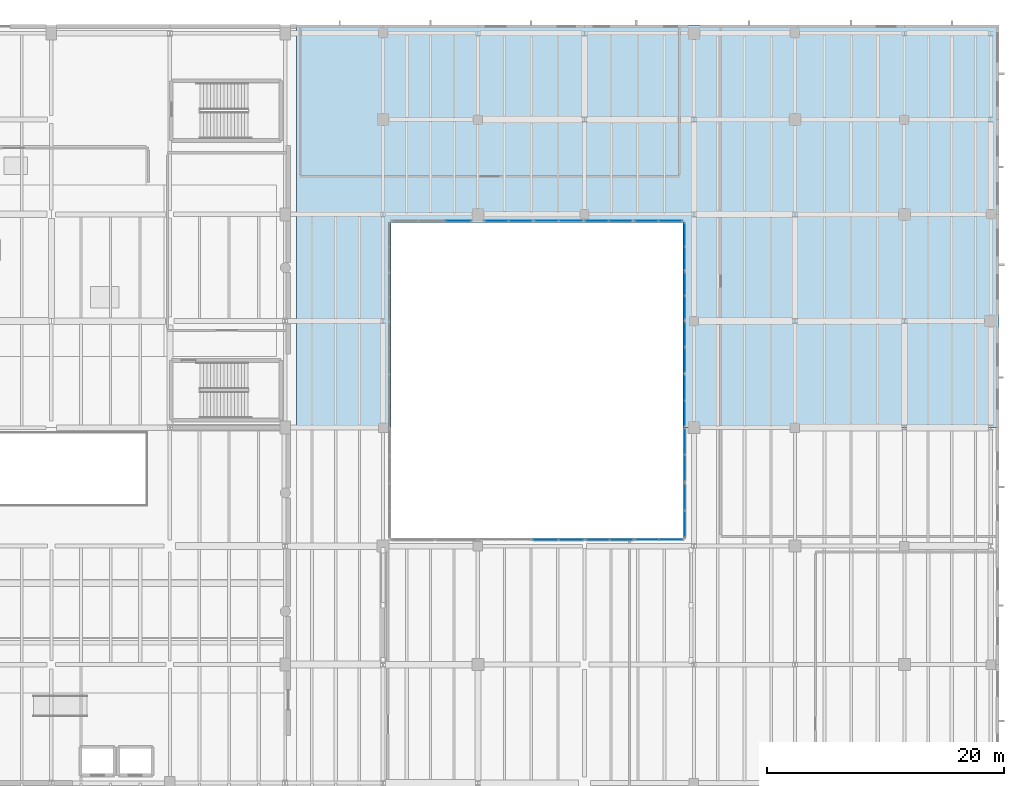
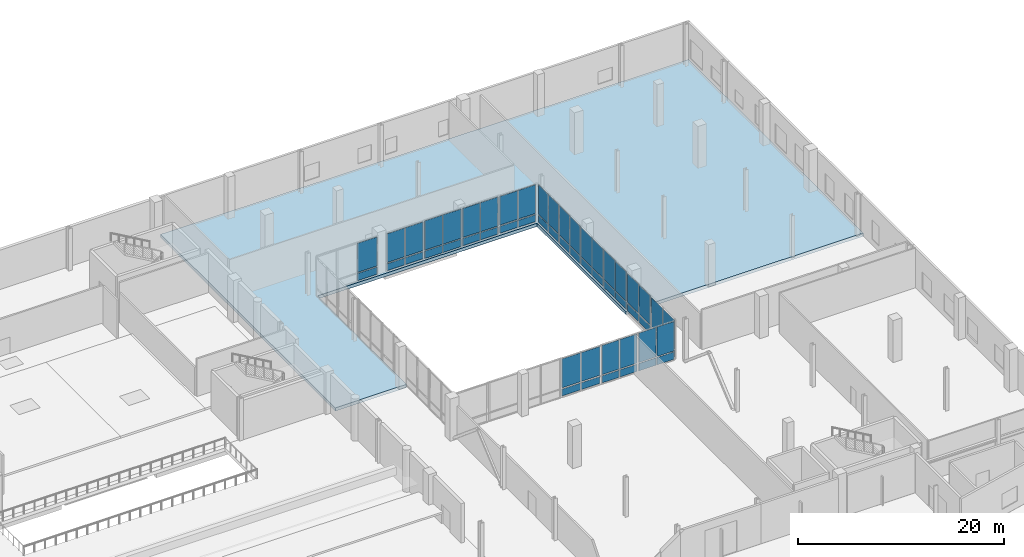
# One storey, part 64 of 88: 54 plates, 1 slab, 14 elements without a shape of their own.
"""IFC4 building model written with IfcOpenShell, lengths in metres."""

from ifc_helpers import new_model, si_unit, direction, frame, origin, origin_2d, place, context, subcontext, project, spatial, polyline, rectangle, outline, extrude, material, layer, layer_set, type_object, element, aggregate, save


model = new_model("IFC4")

# Units and contexts
model_context = context("Model", 3, precision=1e-05, world=origin(), true_north=direction((0.0, 1.0)))
body_context = subcontext(model_context, "Body", "Model", "MODEL_VIEW")
ifc_project = project(units=[si_unit("LENGTHUNIT", "METRE"), si_unit("AREAUNIT", "SQUARE_METRE"), si_unit("VOLUMEUNIT", "CUBIC_METRE"), si_unit("PLANEANGLEUNIT", "RADIAN"), si_unit("MASSUNIT", "GRAM", prefix="KILO")], contexts=[model_context])

# Site, building, storey
site_placement = place(None, origin())
site = spatial("IfcSite", under=ifc_project, at=site_placement, CompositionType="ELEMENT")
building_placement = place(site_placement, origin())
building = spatial("IfcBuilding", under=site, at=building_placement, Name="Trimount Lyric Opera House", CompositionType="ELEMENT")
storey_placement = place(building_placement, origin())
storey = spatial("IfcBuildingStorey", under=building, at=storey_placement, Name="L00", CompositionType="ELEMENT", Elevation=0.0)

# Curtain wall, plates
ifc_material_1 = material(Name="Thermally Broken Aluminium and Low-E Glass", Category="aluminium")
curtain_wall_type = type_object("IfcCurtainWallType", Name="CW-03", PredefinedType="NOTDEFINED", material=ifc_material_1)
curtain_wall_1_placement = place(storey_placement, origin())
curtain_wall_1 = element("IfcCurtainWall", 1, at=curtain_wall_1_placement, inside=storey, type_object=curtain_wall_type, Name="L00 curtain wall 039", PredefinedType="NOTDEFINED")
ifc_material_2 = material(Name="Triple Low-E Acoustic Laminated Glass", Category="glass")
ifc_layer_1 = layer(ifc_material_2, 0.035888671875)
ifc_layer_set_1 = layer_set([ifc_layer_1], Name="CWP-01")
plate_type_1 = type_object("IfcPlateType", Name="CWP-01", PredefinedType="CURTAIN_PANEL", material=ifc_layer_set_1)
plate_1_placement = place(storey_placement, frame((135.7099609375, 74.5400390625, 0.159912109375), z_axis=(0.0, 0.0, 1.0), x_axis=(1.0, 0.0, 0.0)))
plate_1 = element("IfcPlate", 2, at=plate_1_placement, type_object=plate_type_1, Name="CW-03 panel 1.1", PredefinedType="CURTAIN_PANEL", context=body_context, shape_type="SweptSolid", body=[
    extrude(rectangle(XDim=2.10009765625, YDim=0.035888671875, at=origin_2d()), origin(), (0.0, 0.0, 1.0), 0.81005859375),
])
plate_2_placement = place(storey_placement, frame((137.8798828125, 74.5400390625, 0.159912109375), z_axis=(0.0, 0.0, 1.0), x_axis=(1.0, 0.0, 0.0)))
plate_2 = element("IfcPlate", 3, at=plate_2_placement, type_object=plate_type_1, Name="CW-03 panel 2.1", PredefinedType="CURTAIN_PANEL", context=body_context, shape_type="SweptSolid", body=[
    extrude(rectangle(XDim=2.10009765625, YDim=0.035888671875, at=origin_2d()), origin(), (0.0, 0.0, 1.0), 0.81005859375),
])

curtain_wall_2_placement = place(storey_placement, origin())
curtain_wall_2 = element("IfcCurtainWall", 4, at=curtain_wall_2_placement, inside=storey, type_object=curtain_wall_type, Name="L00 curtain wall 040", PredefinedType="NOTDEFINED")
plate_3_placement = place(storey_placement, frame((140.123779296875, 74.5400390625, 0.13525390625), z_axis=(0.0, 0.0, 1.0), x_axis=(1.0, 0.0, 0.0)))
plate_3 = element("IfcPlate", 5, at=plate_3_placement, type_object=plate_type_1, Name="CW-03 panel 1.1", PredefinedType="CURTAIN_PANEL", context=body_context, shape_type="SweptSolid", body=[
    extrude(rectangle(XDim=1.9375, YDim=0.035888671875, at=origin_2d()), origin(), (0.0, 0.0, 1.0), 0.847412109375),
])
plate_4_placement = place(storey_placement, frame((142.126220703125, 74.5400390625, 0.13525390625), z_axis=(0.0, 0.0, 1.0), x_axis=(1.0, 0.0, 0.0)))
plate_4 = element("IfcPlate", 6, at=plate_4_placement, type_object=plate_type_1, Name="CW-03 panel 2.1", PredefinedType="CURTAIN_PANEL", context=body_context, shape_type="SweptSolid", body=[
    extrude(rectangle(XDim=1.9375, YDim=0.035888671875, at=origin_2d()), origin(), (0.0, 0.0, 1.0), 0.847412109375),
])

curtain_wall_3_placement = place(storey_placement, origin())
curtain_wall_3 = element("IfcCurtainWall", 7, at=curtain_wall_3_placement, inside=storey, type_object=curtain_wall_type, Name="L00 curtain wall 041", PredefinedType="NOTDEFINED")
plate_5_placement = place(storey_placement, frame((144.282470703125, 74.5400390625, 0.114990234375), z_axis=(0.0, 0.0, 1.0), x_axis=(1.0, 0.0, 0.0)))
plate_5 = element("IfcPlate", 8, at=plate_5_placement, type_object=plate_type_1, Name="CW-03 panel 1.1", PredefinedType="CURTAIN_PANEL", context=body_context, shape_type="SweptSolid", body=[
    extrude(rectangle(XDim=1.945068359375, YDim=0.035888671875, at=origin_2d()), origin(), (0.0, 0.0, 1.0), 0.87744140625),
])
plate_6_placement = place(storey_placement, frame((146.28759765625, 74.5400390625, 0.114990234375), z_axis=(0.0, 0.0, 1.0), x_axis=(1.0, 0.0, 0.0)))
plate_6 = element("IfcPlate", 9, at=plate_6_placement, type_object=plate_type_1, Name="CW-03 panel 2.1", PredefinedType="CURTAIN_PANEL", context=body_context, shape_type="SweptSolid", body=[
    extrude(rectangle(XDim=1.945068359375, YDim=0.035888671875, at=origin_2d()), origin(), (0.0, 0.0, 1.0), 0.87744140625),
])

curtain_wall_4_placement = place(storey_placement, origin())
curtain_wall_4 = element("IfcCurtainWall", 10, at=curtain_wall_4_placement, inside=storey, type_object=curtain_wall_type, Name="L00 curtain wall 042", PredefinedType="NOTDEFINED")
plate_7_placement = place(storey_placement, frame((147.4599609375, 75.862548828125, 0.159912109375), z_axis=(0.0, 0.0, 1.0), x_axis=(0.0, 1.0, 0.0)))
plate_7 = element("IfcPlate", 11, at=plate_7_placement, type_object=plate_type_1, Name="CW-03 panel 1.1", PredefinedType="CURTAIN_PANEL", context=body_context, shape_type="SweptSolid", body=[
    extrude(rectangle(XDim=2.22509765625, YDim=0.035888671875, at=origin_2d()), origin(), (0.0, 0.0, 1.0), 0.81005859375),
])
plate_8_placement = place(storey_placement, frame((147.4599609375, 78.157470703125, 0.159912109375), z_axis=(0.0, 0.0, 1.0), x_axis=(0.0, 1.0, 0.0)))
plate_8 = element("IfcPlate", 12, at=plate_8_placement, type_object=plate_type_1, Name="CW-03 panel 2.1", PredefinedType="CURTAIN_PANEL", context=body_context, shape_type="SweptSolid", body=[
    extrude(rectangle(XDim=2.22509765625, YDim=0.035888671875, at=origin_2d()), origin(), (0.0, 0.0, 1.0), 0.81005859375),
])

curtain_wall_5_placement = place(storey_placement, origin())
curtain_wall_5 = element("IfcCurtainWall", 13, at=curtain_wall_5_placement, inside=storey, type_object=curtain_wall_type, Name="L00 curtain wall 043", PredefinedType="NOTDEFINED")
plate_9_placement = place(storey_placement, frame((147.4599609375, 80.5888671875, 0.13525390625), z_axis=(0.0, 0.0, 1.0), x_axis=(0.0, 1.0, 0.0)))
plate_9 = element("IfcPlate", 14, at=plate_9_placement, type_object=plate_type_1, Name="CW-03 panel 1.1", PredefinedType="CURTAIN_PANEL", context=body_context, shape_type="SweptSolid", body=[
    extrude(rectangle(XDim=2.1875, YDim=0.035888671875, at=origin_2d()), origin(), (0.0, 0.0, 1.0), 0.847412109375),
])
plate_10_placement = place(storey_placement, frame((147.4599609375, 82.84130859375, 0.13525390625), z_axis=(0.0, 0.0, 1.0), x_axis=(0.0, 1.0, 0.0)))
plate_10 = element("IfcPlate", 15, at=plate_10_placement, type_object=plate_type_1, Name="CW-03 panel 2.1", PredefinedType="CURTAIN_PANEL", context=body_context, shape_type="SweptSolid", body=[
    extrude(rectangle(XDim=2.1875, YDim=0.035888671875, at=origin_2d()), origin(), (0.0, 0.0, 1.0), 0.847412109375),
])

curtain_wall_6_placement = place(storey_placement, origin())
curtain_wall_6 = element("IfcCurtainWall", 16, at=curtain_wall_6_placement, inside=storey, type_object=curtain_wall_type, Name="L00 curtain wall 044", PredefinedType="NOTDEFINED")
plate_11_placement = place(storey_placement, frame((147.4599609375, 85.20751953125, 0.114990234375), z_axis=(0.0, 0.0, 1.0), x_axis=(0.0, 1.0, 0.0)))
plate_11 = element("IfcPlate", 17, at=plate_11_placement, type_object=plate_type_1, Name="CW-03 panel 1.1", PredefinedType="CURTAIN_PANEL", context=body_context, shape_type="SweptSolid", body=[
    extrude(rectangle(XDim=2.114990234375, YDim=0.035888671875, at=origin_2d()), origin(), (0.0, 0.0, 1.0), 0.87744140625),
])
plate_12_placement = place(storey_placement, frame((147.4599609375, 87.382568359375, 0.114990234375), z_axis=(0.0, 0.0, 1.0), x_axis=(0.0, 1.0, 0.0)))
plate_12 = element("IfcPlate", 18, at=plate_12_placement, type_object=plate_type_1, Name="CW-03 panel 2.1", PredefinedType="CURTAIN_PANEL", context=body_context, shape_type="SweptSolid", body=[
    extrude(rectangle(XDim=2.114990234375, YDim=0.035888671875, at=origin_2d()), origin(), (0.0, 0.0, 1.0), 0.87744140625),
])

curtain_wall_7_placement = place(storey_placement, origin())
curtain_wall_7 = element("IfcCurtainWall", 19, at=curtain_wall_7_placement, inside=storey, type_object=curtain_wall_type, Name="L00 curtain wall 045", PredefinedType="NOTDEFINED")
plate_13_placement = place(storey_placement, frame((147.4599609375, 89.7099609375, 0.159912109375), z_axis=(0.0, 0.0, 1.0), x_axis=(0.0, 1.0, 0.0)))
plate_13 = element("IfcPlate", 20, at=plate_13_placement, type_object=plate_type_1, Name="CW-03 panel 1.1", PredefinedType="CURTAIN_PANEL", context=body_context, shape_type="SweptSolid", body=[
    extrude(rectangle(XDim=2.10009765625, YDim=0.035888671875, at=origin_2d()), origin(), (0.0, 0.0, 1.0), 0.81005859375),
])
plate_14_placement = place(storey_placement, frame((147.4599609375, 91.8798828125, 0.159912109375), z_axis=(0.0, 0.0, 1.0), x_axis=(0.0, 1.0, 0.0)))
plate_14 = element("IfcPlate", 21, at=plate_14_placement, type_object=plate_type_1, Name="CW-03 panel 2.1", PredefinedType="CURTAIN_PANEL", context=body_context, shape_type="SweptSolid", body=[
    extrude(rectangle(XDim=2.10009765625, YDim=0.035888671875, at=origin_2d()), origin(), (0.0, 0.0, 1.0), 0.81005859375),
])

curtain_wall_8_placement = place(storey_placement, origin())
curtain_wall_8 = element("IfcCurtainWall", 22, at=curtain_wall_8_placement, inside=storey, type_object=curtain_wall_type, Name="L00 curtain wall 046", PredefinedType="NOTDEFINED")
plate_15_placement = place(storey_placement, frame((147.4599609375, 94.123779296875, 0.13525390625), z_axis=(0.0, 0.0, 1.0), x_axis=(0.0, 1.0, 0.0)))
plate_15 = element("IfcPlate", 23, at=plate_15_placement, type_object=plate_type_1, Name="CW-03 panel 1.1", PredefinedType="CURTAIN_PANEL", context=body_context, shape_type="SweptSolid", body=[
    extrude(rectangle(XDim=1.9375, YDim=0.035888671875, at=origin_2d()), origin(), (0.0, 0.0, 1.0), 0.847412109375),
])
plate_16_placement = place(storey_placement, frame((147.4599609375, 96.126220703125, 0.13525390625), z_axis=(0.0, 0.0, 1.0), x_axis=(0.0, 1.0, 0.0)))
plate_16 = element("IfcPlate", 24, at=plate_16_placement, type_object=plate_type_1, Name="CW-03 panel 2.1", PredefinedType="CURTAIN_PANEL", context=body_context, shape_type="SweptSolid", body=[
    extrude(rectangle(XDim=1.9375, YDim=0.035888671875, at=origin_2d()), origin(), (0.0, 0.0, 1.0), 0.847412109375),
])

curtain_wall_9_placement = place(storey_placement, origin())
curtain_wall_9 = element("IfcCurtainWall", 25, at=curtain_wall_9_placement, inside=storey, type_object=curtain_wall_type, Name="L00 curtain wall 047", PredefinedType="NOTDEFINED")
plate_17_placement = place(storey_placement, frame((147.4599609375, 98.282470703125, 0.114990234375), z_axis=(0.0, 0.0, 1.0), x_axis=(0.0, 1.0, 0.0)))
plate_17 = element("IfcPlate", 26, at=plate_17_placement, type_object=plate_type_1, Name="CW-03 panel 1.1", PredefinedType="CURTAIN_PANEL", context=body_context, shape_type="SweptSolid", body=[
    extrude(rectangle(XDim=1.945068359375, YDim=0.035888671875, at=origin_2d()), origin(), (0.0, 0.0, 1.0), 0.87744140625),
])
plate_18_placement = place(storey_placement, frame((147.4599609375, 100.28759765625, 0.114990234375), z_axis=(0.0, 0.0, 1.0), x_axis=(0.0, 1.0, 0.0)))
plate_18 = element("IfcPlate", 27, at=plate_18_placement, type_object=plate_type_1, Name="CW-03 panel 2.1", PredefinedType="CURTAIN_PANEL", context=body_context, shape_type="SweptSolid", body=[
    extrude(rectangle(XDim=1.945068359375, YDim=0.035888671875, at=origin_2d()), origin(), (0.0, 0.0, 1.0), 0.87744140625),
])

curtain_wall_10_placement = place(storey_placement, origin())
curtain_wall_10 = element("IfcCurtainWall", 28, at=curtain_wall_10_placement, inside=storey, type_object=curtain_wall_type, Name="L00 curtain wall 048", PredefinedType="NOTDEFINED")
plate_19_placement = place(storey_placement, frame((146.262451171875, 101.4599609375, 0.159912109375), z_axis=(0.0, 0.0, 1.0), x_axis=(-1.0, 0.0, 0.0)))
plate_19 = element("IfcPlate", 29, at=plate_19_placement, type_object=plate_type_1, Name="CW-03 panel 1.1", PredefinedType="CURTAIN_PANEL", context=body_context, shape_type="SweptSolid", body=[
    extrude(rectangle(XDim=1.97509765625, YDim=0.035888671875, at=origin_2d()), origin(), (0.0, 0.0, 1.0), 0.81005859375),
])
plate_20_placement = place(storey_placement, frame((144.217529296875, 101.4599609375, 0.159912109375), z_axis=(0.0, 0.0, 1.0), x_axis=(-1.0, 0.0, 0.0)))
plate_20 = element("IfcPlate", 30, at=plate_20_placement, type_object=plate_type_1, Name="CW-03 panel 2.1", PredefinedType="CURTAIN_PANEL", context=body_context, shape_type="SweptSolid", body=[
    extrude(rectangle(XDim=1.97509765625, YDim=0.035888671875, at=origin_2d()), origin(), (0.0, 0.0, 1.0), 0.81005859375),
])

curtain_wall_11_placement = place(storey_placement, origin())
curtain_wall_11 = element("IfcCurtainWall", 31, at=curtain_wall_11_placement, inside=storey, type_object=curtain_wall_type, Name="L00 curtain wall 049", PredefinedType="NOTDEFINED")
plate_21_placement = place(storey_placement, frame((142.0361328125, 101.4599609375, 0.13525390625), z_axis=(0.0, 0.0, 1.0), x_axis=(-1.0, 0.0, 0.0)))
plate_21 = element("IfcPlate", 32, at=plate_21_placement, type_object=plate_type_1, Name="CW-03 panel 1.1", PredefinedType="CURTAIN_PANEL", context=body_context, shape_type="SweptSolid", body=[
    extrude(rectangle(XDim=1.9375, YDim=0.035888671875, at=origin_2d()), origin(), (0.0, 0.0, 1.0), 0.847412109375),
])
plate_22_placement = place(storey_placement, frame((140.03369140625, 101.4599609375, 0.13525390625), z_axis=(0.0, 0.0, 1.0), x_axis=(-1.0, 0.0, 0.0)))
plate_22 = element("IfcPlate", 33, at=plate_22_placement, type_object=plate_type_1, Name="CW-03 panel 2.1", PredefinedType="CURTAIN_PANEL", context=body_context, shape_type="SweptSolid", body=[
    extrude(rectangle(XDim=1.9375, YDim=0.035888671875, at=origin_2d()), origin(), (0.0, 0.0, 1.0), 0.847412109375),
])

curtain_wall_12_placement = place(storey_placement, origin())
curtain_wall_12 = element("IfcCurtainWall", 34, at=curtain_wall_12_placement, inside=storey, type_object=curtain_wall_type, Name="L00 curtain wall 050", PredefinedType="NOTDEFINED")
plate_23_placement = place(storey_placement, frame((137.85498046875, 101.4599609375, 0.114990234375), z_axis=(0.0, 0.0, 1.0), x_axis=(-1.0, 0.0, 0.0)))
plate_23 = element("IfcPlate", 35, at=plate_23_placement, type_object=plate_type_1, Name="CW-03 panel 1.1", PredefinedType="CURTAIN_PANEL", context=body_context, shape_type="SweptSolid", body=[
    extrude(rectangle(XDim=1.989990234375, YDim=0.035888671875, at=origin_2d()), origin(), (0.0, 0.0, 1.0), 0.87744140625),
])
plate_24_placement = place(storey_placement, frame((135.804931640625, 101.4599609375, 0.114990234375), z_axis=(0.0, 0.0, 1.0), x_axis=(-1.0, 0.0, 0.0)))
plate_24 = element("IfcPlate", 36, at=plate_24_placement, type_object=plate_type_1, Name="CW-03 panel 2.1", PredefinedType="CURTAIN_PANEL", context=body_context, shape_type="SweptSolid", body=[
    extrude(rectangle(XDim=1.989990234375, YDim=0.035888671875, at=origin_2d()), origin(), (0.0, 0.0, 1.0), 0.87744140625),
])

curtain_wall_13_placement = place(storey_placement, origin())
curtain_wall_13 = element("IfcCurtainWall", 37, at=curtain_wall_13_placement, inside=storey, type_object=curtain_wall_type, Name="L00 curtain wall 051", PredefinedType="NOTDEFINED")
plate_25_placement = place(storey_placement, frame((133.6025390625, 101.4599609375, 0.159912109375), z_axis=(0.0, 0.0, 1.0), x_axis=(-1.0, 0.0, 0.0)))
plate_25 = element("IfcPlate", 38, at=plate_25_placement, type_object=plate_type_1, Name="CW-03 panel 1.1", PredefinedType="CURTAIN_PANEL", context=body_context, shape_type="SweptSolid", body=[
    extrude(rectangle(XDim=1.97509765625, YDim=0.035888671875, at=origin_2d()), origin(), (0.0, 0.0, 1.0), 0.81005859375),
])
plate_26_placement = place(storey_placement, frame((131.5576171875, 101.4599609375, 0.159912109375), z_axis=(0.0, 0.0, 1.0), x_axis=(-1.0, 0.0, 0.0)))
plate_26 = element("IfcPlate", 39, at=plate_26_placement, type_object=plate_type_1, Name="CW-03 panel 2.1", PredefinedType="CURTAIN_PANEL", context=body_context, shape_type="SweptSolid", body=[
    extrude(rectangle(XDim=1.97509765625, YDim=0.035888671875, at=origin_2d()), origin(), (0.0, 0.0, 1.0), 0.81005859375),
])

# Curtain wall, plate
curtain_wall_14_placement = place(storey_placement, origin())
curtain_wall_14 = element("IfcCurtainWall", 40, at=curtain_wall_14_placement, inside=storey, type_object=curtain_wall_type, Name="L00 curtain wall 052", PredefinedType="NOTDEFINED")
plate_27_placement = place(storey_placement, frame((128.34716796875, 101.4599609375, 0.13525390625), z_axis=(0.0, 0.0, 1.0), x_axis=(-1.0, 0.0, 0.0)))
plate_27 = element("IfcPlate", 41, at=plate_27_placement, type_object=plate_type_1, Name="CW-03 panel 1.1", PredefinedType="CURTAIN_PANEL", context=body_context, shape_type="SweptSolid", body=[
    extrude(rectangle(XDim=2.17578125, YDim=0.035888671875, at=origin_2d()), origin(), (0.0, 0.0, 1.0), 0.847412109375),
])

# Plate
ifc_material_3 = material(Name="Insulated Aluminium Shadow-Box Spandrel Panel", Category="aluminium")
ifc_layer_2 = layer(ifc_material_3, 0.0419921875)
ifc_layer_set_2 = layer_set([ifc_layer_2], Name="CWP-04")
plate_type_2 = type_object("IfcPlateType", Name="CWP-04", PredefinedType="CURTAIN_PANEL", material=ifc_layer_set_2)
plate_28_placement = place(storey_placement, frame((135.7099609375, 74.5400390625, 1.1298828125), z_axis=(0.0, 0.0, 1.0), x_axis=(1.0, 0.0, 0.0)))
plate_28 = element("IfcPlate", 42, at=plate_28_placement, type_object=plate_type_2, Name="CW-03 panel 1.2", PredefinedType="CURTAIN_PANEL", context=body_context, shape_type="SweptSolid", body=[
    extrude(rectangle(XDim=2.10009765625, YDim=0.035888671875, at=origin_2d()), origin(), (0.0, 0.0, 1.0), 3.429931640625),
])

plate_29_placement = place(storey_placement, frame((137.8798828125, 74.5400390625, 1.1298828125), z_axis=(0.0, 0.0, 1.0), x_axis=(1.0, 0.0, 0.0)))
plate_29 = element("IfcPlate", 43, at=plate_29_placement, type_object=plate_type_2, Name="CW-03 panel 2.2", PredefinedType="CURTAIN_PANEL", context=body_context, shape_type="SweptSolid", body=[
    extrude(rectangle(XDim=2.10009765625, YDim=0.035888671875, at=origin_2d()), origin(), (0.0, 0.0, 1.0), 3.429931640625),
])

aggregate(curtain_wall_1, [plate_1, plate_28, plate_2, plate_29])

plate_30_placement = place(storey_placement, frame((140.123779296875, 74.5400390625, 1.11767578125), z_axis=(0.0, 0.0, 1.0), x_axis=(1.0, 0.0, 0.0)))
plate_30 = element("IfcPlate", 44, at=plate_30_placement, type_object=plate_type_2, Name="CW-03 panel 1.2", PredefinedType="CURTAIN_PANEL", context=body_context, shape_type="SweptSolid", body=[
    extrude(rectangle(XDim=1.9375, YDim=0.035888671875, at=origin_2d()), origin(), (0.0, 0.0, 1.0), 3.467529296875),
])

plate_31_placement = place(storey_placement, frame((142.126220703125, 74.5400390625, 1.11767578125), z_axis=(0.0, 0.0, 1.0), x_axis=(1.0, 0.0, 0.0)))
plate_31 = element("IfcPlate", 45, at=plate_31_placement, type_object=plate_type_2, Name="CW-03 panel 2.2", PredefinedType="CURTAIN_PANEL", context=body_context, shape_type="SweptSolid", body=[
    extrude(rectangle(XDim=1.9375, YDim=0.035888671875, at=origin_2d()), origin(), (0.0, 0.0, 1.0), 3.467529296875),
])

aggregate(curtain_wall_2, [plate_3, plate_30, plate_4, plate_31])

plate_32_placement = place(storey_placement, frame((144.282470703125, 74.5400390625, 1.107421875), z_axis=(0.0, 0.0, 1.0), x_axis=(1.0, 0.0, 0.0)))
plate_32 = element("IfcPlate", 46, at=plate_32_placement, type_object=plate_type_2, Name="CW-03 panel 1.2", PredefinedType="CURTAIN_PANEL", context=body_context, shape_type="SweptSolid", body=[
    extrude(rectangle(XDim=1.945068359375, YDim=0.035888671875, at=origin_2d()), origin(), (0.0, 0.0, 1.0), 3.49755859375),
])

plate_33_placement = place(storey_placement, frame((146.28759765625, 74.5400390625, 1.107421875), z_axis=(0.0, 0.0, 1.0), x_axis=(1.0, 0.0, 0.0)))
plate_33 = element("IfcPlate", 47, at=plate_33_placement, type_object=plate_type_2, Name="CW-03 panel 2.2", PredefinedType="CURTAIN_PANEL", context=body_context, shape_type="SweptSolid", body=[
    extrude(rectangle(XDim=1.945068359375, YDim=0.035888671875, at=origin_2d()), origin(), (0.0, 0.0, 1.0), 3.49755859375),
])

aggregate(curtain_wall_3, [plate_5, plate_32, plate_6, plate_33])

plate_34_placement = place(storey_placement, frame((147.4599609375, 75.862548828125, 1.130126953125), z_axis=(0.0, 0.0, 1.0), x_axis=(0.0, 1.0, 0.0)))
plate_34 = element("IfcPlate", 48, at=plate_34_placement, type_object=plate_type_2, Name="CW-03 panel 1.2", PredefinedType="CURTAIN_PANEL", context=body_context, shape_type="SweptSolid", body=[
    extrude(rectangle(XDim=2.22509765625, YDim=0.035888671875, at=origin_2d()), origin(), (0.0, 0.0, 1.0), 3.39990234375),
])

plate_35_placement = place(storey_placement, frame((147.4599609375, 78.157470703125, 1.130126953125), z_axis=(0.0, 0.0, 1.0), x_axis=(0.0, 1.0, 0.0)))
plate_35 = element("IfcPlate", 49, at=plate_35_placement, type_object=plate_type_2, Name="CW-03 panel 2.2", PredefinedType="CURTAIN_PANEL", context=body_context, shape_type="SweptSolid", body=[
    extrude(rectangle(XDim=2.22509765625, YDim=0.035888671875, at=origin_2d()), origin(), (0.0, 0.0, 1.0), 3.39990234375),
])

aggregate(curtain_wall_4, [plate_7, plate_34, plate_8, plate_35])

plate_36_placement = place(storey_placement, frame((147.4599609375, 80.5888671875, 1.117431640625), z_axis=(0.0, 0.0, 1.0), x_axis=(0.0, 1.0, 0.0)))
plate_36 = element("IfcPlate", 50, at=plate_36_placement, type_object=plate_type_2, Name="CW-03 panel 1.2", PredefinedType="CURTAIN_PANEL", context=body_context, shape_type="SweptSolid", body=[
    extrude(rectangle(XDim=2.1875, YDim=0.035888671875, at=origin_2d()), origin(), (0.0, 0.0, 1.0), 3.4375),
])

plate_37_placement = place(storey_placement, frame((147.4599609375, 82.84130859375, 1.117431640625), z_axis=(0.0, 0.0, 1.0), x_axis=(0.0, 1.0, 0.0)))
plate_37 = element("IfcPlate", 51, at=plate_37_placement, type_object=plate_type_2, Name="CW-03 panel 2.2", PredefinedType="CURTAIN_PANEL", context=body_context, shape_type="SweptSolid", body=[
    extrude(rectangle(XDim=2.1875, YDim=0.035888671875, at=origin_2d()), origin(), (0.0, 0.0, 1.0), 3.4375),
])

aggregate(curtain_wall_5, [plate_9, plate_36, plate_10, plate_37])

plate_38_placement = place(storey_placement, frame((147.4599609375, 85.20751953125, 1.107421875), z_axis=(0.0, 0.0, 1.0), x_axis=(0.0, 1.0, 0.0)))
plate_38 = element("IfcPlate", 52, at=plate_38_placement, type_object=plate_type_2, Name="CW-03 panel 1.2", PredefinedType="CURTAIN_PANEL", context=body_context, shape_type="SweptSolid", body=[
    extrude(rectangle(XDim=2.114990234375, YDim=0.035888671875, at=origin_2d()), origin(), (0.0, 0.0, 1.0), 3.467529296875),
])

plate_39_placement = place(storey_placement, frame((147.4599609375, 87.382568359375, 1.107421875), z_axis=(0.0, 0.0, 1.0), x_axis=(0.0, 1.0, 0.0)))
plate_39 = element("IfcPlate", 53, at=plate_39_placement, type_object=plate_type_2, Name="CW-03 panel 2.2", PredefinedType="CURTAIN_PANEL", context=body_context, shape_type="SweptSolid", body=[
    extrude(rectangle(XDim=2.114990234375, YDim=0.035888671875, at=origin_2d()), origin(), (0.0, 0.0, 1.0), 3.467529296875),
])

aggregate(curtain_wall_6, [plate_11, plate_38, plate_12, plate_39])

plate_40_placement = place(storey_placement, frame((147.4599609375, 89.7099609375, 1.130126953125), z_axis=(0.0, 0.0, 1.0), x_axis=(0.0, 1.0, 0.0)))
plate_40 = element("IfcPlate", 54, at=plate_40_placement, type_object=plate_type_2, Name="CW-03 panel 1.2", PredefinedType="CURTAIN_PANEL", context=body_context, shape_type="SweptSolid", body=[
    extrude(rectangle(XDim=2.10009765625, YDim=0.035888671875, at=origin_2d()), origin(), (0.0, 0.0, 1.0), 3.39990234375),
])

plate_41_placement = place(storey_placement, frame((147.4599609375, 91.8798828125, 1.130126953125), z_axis=(0.0, 0.0, 1.0), x_axis=(0.0, 1.0, 0.0)))
plate_41 = element("IfcPlate", 55, at=plate_41_placement, type_object=plate_type_2, Name="CW-03 panel 2.2", PredefinedType="CURTAIN_PANEL", context=body_context, shape_type="SweptSolid", body=[
    extrude(rectangle(XDim=2.10009765625, YDim=0.035888671875, at=origin_2d()), origin(), (0.0, 0.0, 1.0), 3.39990234375),
])

aggregate(curtain_wall_7, [plate_13, plate_40, plate_14, plate_41])

plate_42_placement = place(storey_placement, frame((147.4599609375, 94.123779296875, 1.117431640625), z_axis=(0.0, 0.0, 1.0), x_axis=(0.0, 1.0, 0.0)))
plate_42 = element("IfcPlate", 56, at=plate_42_placement, type_object=plate_type_2, Name="CW-03 panel 1.2", PredefinedType="CURTAIN_PANEL", context=body_context, shape_type="SweptSolid", body=[
    extrude(rectangle(XDim=1.9375, YDim=0.035888671875, at=origin_2d()), origin(), (0.0, 0.0, 1.0), 3.4375),
])

plate_43_placement = place(storey_placement, frame((147.4599609375, 96.126220703125, 1.117431640625), z_axis=(0.0, 0.0, 1.0), x_axis=(0.0, 1.0, 0.0)))
plate_43 = element("IfcPlate", 57, at=plate_43_placement, type_object=plate_type_2, Name="CW-03 panel 2.2", PredefinedType="CURTAIN_PANEL", context=body_context, shape_type="SweptSolid", body=[
    extrude(rectangle(XDim=1.9375, YDim=0.035888671875, at=origin_2d()), origin(), (0.0, 0.0, 1.0), 3.4375),
])

aggregate(curtain_wall_8, [plate_15, plate_42, plate_16, plate_43])

plate_44_placement = place(storey_placement, frame((147.4599609375, 98.282470703125, 1.107421875), z_axis=(0.0, 0.0, 1.0), x_axis=(0.0, 1.0, 0.0)))
plate_44 = element("IfcPlate", 58, at=plate_44_placement, type_object=plate_type_2, Name="CW-03 panel 1.2", PredefinedType="CURTAIN_PANEL", context=body_context, shape_type="SweptSolid", body=[
    extrude(rectangle(XDim=1.945068359375, YDim=0.035888671875, at=origin_2d()), origin(), (0.0, 0.0, 1.0), 3.467529296875),
])

plate_45_placement = place(storey_placement, frame((147.4599609375, 100.28759765625, 1.107421875), z_axis=(0.0, 0.0, 1.0), x_axis=(0.0, 1.0, 0.0)))
plate_45 = element("IfcPlate", 59, at=plate_45_placement, type_object=plate_type_2, Name="CW-03 panel 2.2", PredefinedType="CURTAIN_PANEL", context=body_context, shape_type="SweptSolid", body=[
    extrude(rectangle(XDim=1.945068359375, YDim=0.035888671875, at=origin_2d()), origin(), (0.0, 0.0, 1.0), 3.467529296875),
])

aggregate(curtain_wall_9, [plate_17, plate_44, plate_18, plate_45])

plate_46_placement = place(storey_placement, frame((146.262451171875, 101.4599609375, 1.130126953125), z_axis=(0.0, 0.0, 1.0), x_axis=(-1.0, 0.0, 0.0)))
plate_46 = element("IfcPlate", 60, at=plate_46_placement, type_object=plate_type_2, Name="CW-03 panel 1.2", PredefinedType="CURTAIN_PANEL", context=body_context, shape_type="SweptSolid", body=[
    extrude(rectangle(XDim=1.97509765625, YDim=0.035888671875, at=origin_2d()), origin(), (0.0, 0.0, 1.0), 3.39990234375),
])

plate_47_placement = place(storey_placement, frame((144.217529296875, 101.4599609375, 1.130126953125), z_axis=(0.0, 0.0, 1.0), x_axis=(-1.0, 0.0, 0.0)))
plate_47 = element("IfcPlate", 61, at=plate_47_placement, type_object=plate_type_2, Name="CW-03 panel 2.2", PredefinedType="CURTAIN_PANEL", context=body_context, shape_type="SweptSolid", body=[
    extrude(rectangle(XDim=1.97509765625, YDim=0.035888671875, at=origin_2d()), origin(), (0.0, 0.0, 1.0), 3.39990234375),
])

aggregate(curtain_wall_10, [plate_19, plate_46, plate_20, plate_47])

plate_48_placement = place(storey_placement, frame((142.0361328125, 101.4599609375, 1.117431640625), z_axis=(0.0, 0.0, 1.0), x_axis=(-1.0, 0.0, 0.0)))
plate_48 = element("IfcPlate", 62, at=plate_48_placement, type_object=plate_type_2, Name="CW-03 panel 1.2", PredefinedType="CURTAIN_PANEL", context=body_context, shape_type="SweptSolid", body=[
    extrude(rectangle(XDim=1.9375, YDim=0.035888671875, at=origin_2d()), origin(), (0.0, 0.0, 1.0), 3.4375),
])

plate_49_placement = place(storey_placement, frame((140.03369140625, 101.4599609375, 1.117431640625), z_axis=(0.0, 0.0, 1.0), x_axis=(-1.0, 0.0, 0.0)))
plate_49 = element("IfcPlate", 63, at=plate_49_placement, type_object=plate_type_2, Name="CW-03 panel 2.2", PredefinedType="CURTAIN_PANEL", context=body_context, shape_type="SweptSolid", body=[
    extrude(rectangle(XDim=1.9375, YDim=0.035888671875, at=origin_2d()), origin(), (0.0, 0.0, 1.0), 3.4375),
])

aggregate(curtain_wall_11, [plate_21, plate_48, plate_22, plate_49])

plate_50_placement = place(storey_placement, frame((137.85498046875, 101.4599609375, 1.107421875), z_axis=(0.0, 0.0, 1.0), x_axis=(-1.0, 0.0, 0.0)))
plate_50 = element("IfcPlate", 64, at=plate_50_placement, type_object=plate_type_2, Name="CW-03 panel 1.2", PredefinedType="CURTAIN_PANEL", context=body_context, shape_type="SweptSolid", body=[
    extrude(rectangle(XDim=1.989990234375, YDim=0.035888671875, at=origin_2d()), origin(), (0.0, 0.0, 1.0), 3.467529296875),
])

plate_51_placement = place(storey_placement, frame((135.804931640625, 101.4599609375, 1.107421875), z_axis=(0.0, 0.0, 1.0), x_axis=(-1.0, 0.0, 0.0)))
plate_51 = element("IfcPlate", 65, at=plate_51_placement, type_object=plate_type_2, Name="CW-03 panel 2.2", PredefinedType="CURTAIN_PANEL", context=body_context, shape_type="SweptSolid", body=[
    extrude(rectangle(XDim=1.989990234375, YDim=0.035888671875, at=origin_2d()), origin(), (0.0, 0.0, 1.0), 3.467529296875),
])

aggregate(curtain_wall_12, [plate_23, plate_50, plate_24, plate_51])

plate_52_placement = place(storey_placement, frame((133.6025390625, 101.4599609375, 1.130126953125), z_axis=(0.0, 0.0, 1.0), x_axis=(-1.0, 0.0, 0.0)))
plate_52 = element("IfcPlate", 66, at=plate_52_placement, type_object=plate_type_2, Name="CW-03 panel 1.2", PredefinedType="CURTAIN_PANEL", context=body_context, shape_type="SweptSolid", body=[
    extrude(rectangle(XDim=1.97509765625, YDim=0.035888671875, at=origin_2d()), origin(), (0.0, 0.0, 1.0), 3.39990234375),
])

plate_53_placement = place(storey_placement, frame((131.5576171875, 101.4599609375, 1.130126953125), z_axis=(0.0, 0.0, 1.0), x_axis=(-1.0, 0.0, 0.0)))
plate_53 = element("IfcPlate", 67, at=plate_53_placement, type_object=plate_type_2, Name="CW-03 panel 2.2", PredefinedType="CURTAIN_PANEL", context=body_context, shape_type="SweptSolid", body=[
    extrude(rectangle(XDim=1.97509765625, YDim=0.035888671875, at=origin_2d()), origin(), (0.0, 0.0, 1.0), 3.39990234375),
])

aggregate(curtain_wall_13, [plate_25, plate_52, plate_26, plate_53])

plate_54_placement = place(storey_placement, frame((128.34716796875, 101.4599609375, 1.117431640625), z_axis=(0.0, 0.0, 1.0), x_axis=(-1.0, 0.0, 0.0)))
plate_54 = element("IfcPlate", 68, at=plate_54_placement, type_object=plate_type_2, Name="CW-03 panel 1.2", PredefinedType="CURTAIN_PANEL", context=body_context, shape_type="SweptSolid", body=[
    extrude(rectangle(XDim=2.17578125, YDim=0.035888671875, at=origin_2d()), origin(), (0.0, 0.0, 1.0), 3.4375),
])

aggregate(curtain_wall_14, [plate_27, plate_54])

# Slab
ifc_material_4 = material(Name="Concrete C40/50", Category="concrete")
ifc_layer_3 = layer(ifc_material_4, 0.3798828125)
ifc_layer_set_3 = layer_set([ifc_layer_3], Name="SL-FL380")
slab_type = type_object("IfcSlabType", Name="SL-FL380", PredefinedType="FLOOR", material=ifc_layer_set_3)
slab_placement = place(storey_placement, frame((0.0, 0.0, -0.3798828125)))
element("IfcSlab", 69, at=slab_placement, inside=storey, type_object=slab_type, Name="L00 floor slab L00-EAST-N", PredefinedType="FLOOR", context=body_context, shape_type="SweptSolid", body=[
    extrude(outline(polyline([(174.0, 118.0), (174.0, 84.0), (147.320068359375, 84.0), (147.320068359375, 101.320068359375), (122.679931640625, 101.320068359375), (122.679931640625, 84.0), (114.679931640625, 84.0), (114.679931640625, 118.0), (174.0, 118.0)])), origin(), (0.0, 0.0, 1.0), 0.3798828125),
])

save(model, "model.ifc")
